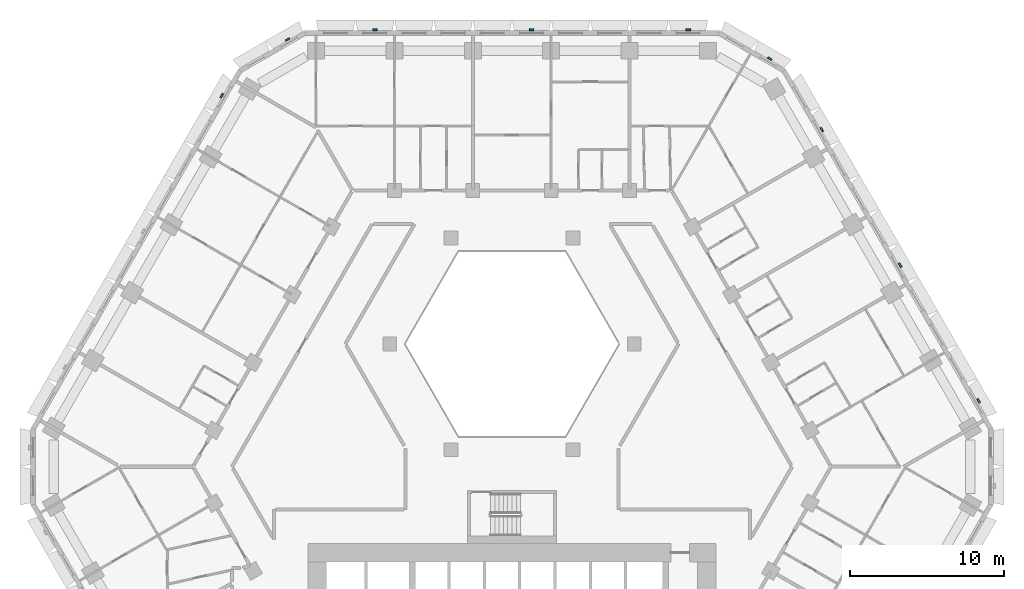
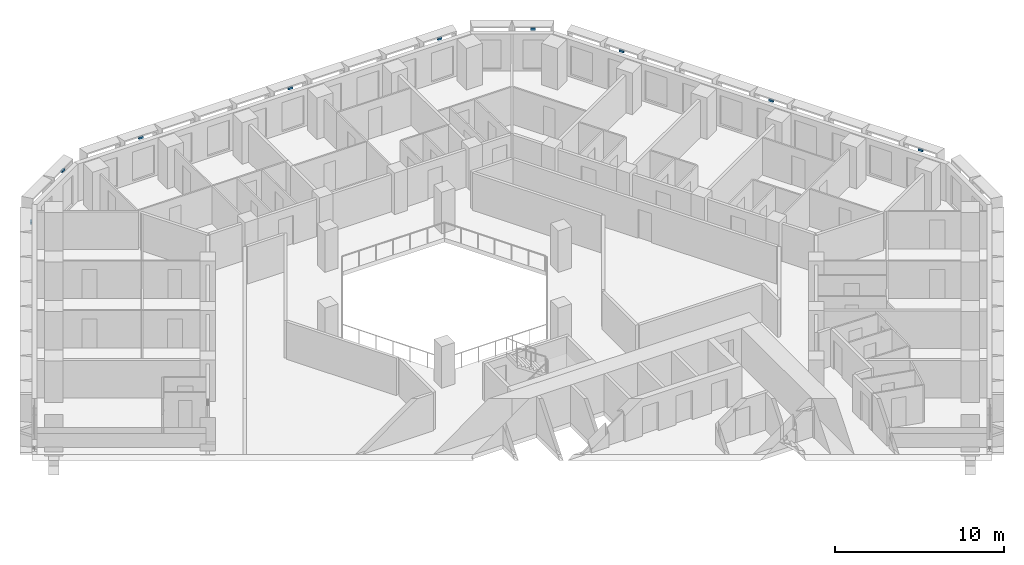
# One storey, part 15 of 21: 9 discrete accessories.
"""IFC4 building model written with IfcOpenShell, lengths in metres."""

from ifc_helpers import new_model, si_unit, direction, frame, origin, place, context, subcontext, project, spatial, polyline, outline, extrude, source, transform, mapped, material, type_object, type_shapes, element, save


model = new_model("IFC4")

# Units and contexts
model_context = context("Model", 3, precision=1e-05, world=origin(), true_north=direction((0.0, 1.0)))
body_context = subcontext(model_context, "Body", "Model", "MODEL_VIEW")
ifc_project = project(units=[si_unit("LENGTHUNIT", "METRE"), si_unit("AREAUNIT", "SQUARE_METRE"), si_unit("VOLUMEUNIT", "CUBIC_METRE"), si_unit("PLANEANGLEUNIT", "RADIAN"), si_unit("MASSUNIT", "GRAM", prefix="KILO")], contexts=[model_context])

# Site, building, storey
site_placement = place(None, origin())
site = spatial("IfcSite", under=ifc_project, at=site_placement, CompositionType="ELEMENT")
building_placement = place(site_placement, origin())
building = spatial("IfcBuilding", under=site, at=building_placement, Name="Beryl Residences", CompositionType="ELEMENT")
storey_placement = place(building_placement, frame((0.0, 0.0, 47.39990234375)))
storey = spatial("IfcBuildingStorey", under=building, at=storey_placement, Name="L14", CompositionType="ELEMENT", Elevation=47.39990234375)

# Discrete accessories
ifc_material = material(Name="Steel S355", Category="steel")
discrete_accessory_type = type_object("IfcDiscreteAccessoryType", Name="BR1 frame bracket 300 x 120 x 150 mm", PredefinedType="BRACKET", material=ifc_material)
shared_shape = source(origin(), body_context, "Body", "SweptSolid", [
    extrude(outline(polyline([(-0.14990234375, 0.0), (0.14990234375, 0.0), (0.14990234375, 0.1201171875), (-0.14990234375, 0.1201171875), (-0.14990234375, 0.0)])), origin(), (0.0, 0.0, 1.0), 0.14990234375),
])
type_shapes(discrete_accessory_type, [shared_shape])
for number, where, z_axis, x_axis, name in (
    (1, (11.48291015625, 28.39990234375, 2.75), (0.0, 0.0, 1.0), (1.0, 0.0, 0.0), "BR1 bracket L14 N 1"),
    (2, (1.27490234375, 28.39990234375, 2.75), (0.0, 0.0, 1.0), (1.0, 0.0, 0.0), "BR1 bracket L14 N 5"),
    (3, (-8.93310546875, 28.39990234375, 2.75), (0.0, 0.0, 1.0), (1.0, 0.0, 0.0), "BR1 bracket L14 N 9"),
    (4, (-14.593017578125, 27.77490234375, 2.75), (0.0, 0.0, 1.0), (0.866025403784, 0.5, 0.0), "BR1 bracket L14 N-NW 1"),
    (5, (-18.85400390625, 24.14501953125, 2.75), (0.0, 0.0, 1.0), (0.5, 0.866025403784, 0.0), "BR1 bracket L14 NW 1"),
    (6, (30.3359375, 4.2548828125, 2.75), (0.0, 0.0, 1.0), (0.5, -0.866025403784, 0.0), "BR1 bracket L14 NE 1"),
    (7, (25.23193359375, 13.095947265625, 2.75), (0.0, 0.0, 1.0), (0.5, -0.866025403784, 0.0), "BR1 bracket L14 NE 5"),
    (8, (20.12890625, 21.93603515625, 2.75), (0.0, 0.0, 1.0), (0.5, -0.866025403784, 0.0), "BR1 bracket L14 NE 9"),
    (9, (16.758056640625, 26.52490234375, 2.75), (0.0, 0.0, 1.0), (0.866025403784, -0.5, 0.0), "BR1 bracket L14 NE-N 1"),
):
    element("IfcDiscreteAccessory", number, at=place(storey_placement, frame(where, z_axis=z_axis, x_axis=x_axis)), inside=storey, type_object=discrete_accessory_type, Name=name, PredefinedType="BRACKET", context=body_context, shape_type="MappedRepresentation", body=[
        mapped(shared_shape, transform((0.0, 0.0, 0.0))),
    ])

save(model, "model.ifc")
